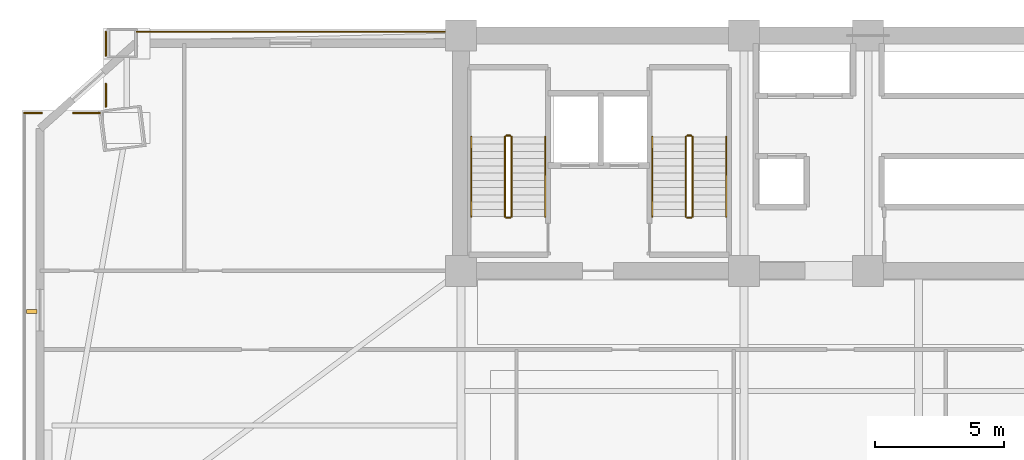
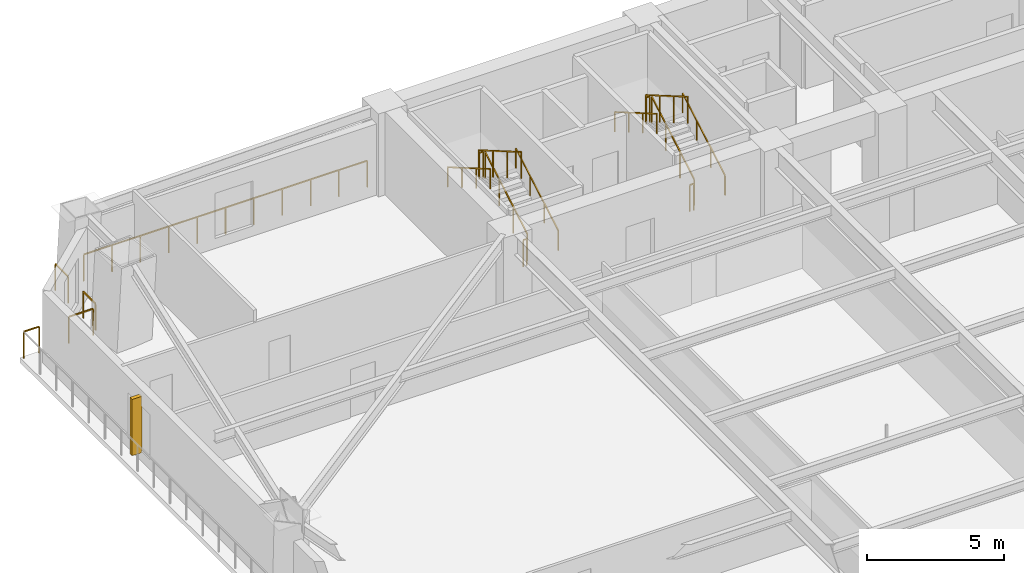
# One storey, part 15 of 17: 17 railings, 1 shading device.
"""IFC4 building model written with IfcOpenShell, lengths in metres."""

from ifc_helpers import new_model, si_unit, direction, frame, origin, origin_2d, place, context, subcontext, project, spatial, rectangle, extrude, source, transform, mapped, material, type_object, element, save


model = new_model("IFC4")

# Units and contexts
model_context = context("Model", 3, precision=1e-05, world=origin(), true_north=direction((0.0, 1.0)))
body_context = subcontext(model_context, "Body", "Model", "MODEL_VIEW")
ifc_project = project(units=[si_unit("LENGTHUNIT", "METRE"), si_unit("AREAUNIT", "SQUARE_METRE"), si_unit("VOLUMEUNIT", "CUBIC_METRE"), si_unit("PLANEANGLEUNIT", "RADIAN"), si_unit("MASSUNIT", "GRAM", prefix="KILO")], contexts=[model_context])

# Site, building, storey
site_placement = place(None, origin())
site = spatial("IfcSite", under=ifc_project, at=site_placement, CompositionType="ELEMENT")
building_placement = place(site_placement, origin())
building = spatial("IfcBuilding", under=site, at=building_placement, Name="Giltprow Tower", CompositionType="ELEMENT")
storey_placement = place(building_placement, frame((0.0, 0.0, 57.199951171875)))
storey = spatial("IfcBuildingStorey", under=building, at=storey_placement, Name="L14", CompositionType="ELEMENT", Elevation=57.199951171875)

# Railings
ifc_material = material(Name="Anodized bronze", Category="metal")
railing_type_1 = type_object("IfcRailingType", Name="RAIL-BALC-GUARD-1200", PredefinedType="BALUSTRADE", material=ifc_material)
railing_1_placement = place(storey_placement, frame((2.969970703125, 43.552001953125, 0.0)))
element("IfcRailing", 1, at=railing_1_placement, inside=storey, type_object=railing_type_1, Name="L14 Corner Apron Edge Balustrade 6", PredefinedType="BALUSTRADE", context=body_context, shape_type="SweptSolid", body=[
    extrude(rectangle(XDim=0.048095703125, YDim=0.048095703125, at=origin_2d()), frame((0.0, 0.0, 1.17578125), z_axis=(1.0, 0.0, 0.0), x_axis=(0.0, 1.0, 0.0)), (0.0, 0.0, 1.0), 0.656982421875),
    extrude(rectangle(XDim=0.0419921875, YDim=0.0419921875, at=origin_2d()), origin(), (0.0, 0.0, 1.0), 1.15185546875),
    extrude(rectangle(XDim=0.0419921875, YDim=0.0419921875, at=origin_2d()), frame((0.656982421875, 0.0, 0.0)), (0.0, 0.0, 1.0), 1.15185546875),
])
railing_2_placement = place(storey_placement, frame((4.85888671875, 43.552001953125, 0.0)))
element("IfcRailing", 2, at=railing_2_placement, inside=storey, type_object=railing_type_1, Name="L14 Corner Apron Edge Balustrade 7", PredefinedType="BALUSTRADE", context=body_context, shape_type="SweptSolid", body=[
    extrude(rectangle(XDim=0.048095703125, YDim=0.048095703125, at=origin_2d()), frame((0.0, 0.0, 1.17578125), z_axis=(1.0, 0.0, 0.0), x_axis=(0.0, 1.0, 0.0)), (0.0, 0.0, 1.0), 1.024169921875),
    extrude(rectangle(XDim=0.0419921875, YDim=0.0419921875, at=origin_2d()), origin(), (0.0, 0.0, 1.0), 1.15185546875),
    extrude(rectangle(XDim=0.0419921875, YDim=0.0419921875, at=origin_2d()), frame((1.024169921875, 0.0, 0.0)), (0.0, 0.0, 1.0), 1.15185546875),
])
railing_3_placement = place(storey_placement, frame((6.117919921875, 43.787109375, 0.0)))
element("IfcRailing", 3, at=railing_3_placement, inside=storey, type_object=railing_type_1, Name="L14 Corner Apron Edge Balustrade 8", PredefinedType="BALUSTRADE", context=body_context, shape_type="SweptSolid", body=[
    extrude(rectangle(XDim=0.048095703125, YDim=0.048095703125, at=origin_2d()), frame((0.0, 0.0, 1.17578125), z_axis=(0.0, 1.0, 0.0), x_axis=(-1.0, 0.0, 0.0)), (0.0, 0.0, 1.0), 0.887939453125),
    extrude(rectangle(XDim=0.0419921875, YDim=0.0419921875, at=origin_2d()), origin(), (0.0, 0.0, 1.0), 1.15185546875),
    extrude(rectangle(XDim=0.0419921875, YDim=0.0419921875, at=origin_2d()), frame((0.0, 0.887939453125, 0.0)), (0.0, 0.0, 1.0), 1.15185546875),
])
railing_4_placement = place(storey_placement, frame((6.117919921875, 45.77392578125, 0.0)))
element("IfcRailing", 4, at=railing_4_placement, inside=storey, type_object=railing_type_1, Name="L14 Corner Apron Edge Balustrade 9", PredefinedType="BALUSTRADE", context=body_context, shape_type="SweptSolid", body=[
    extrude(rectangle(XDim=0.048095703125, YDim=0.048095703125, at=origin_2d()), frame((0.0, 0.0, 1.17578125), z_axis=(0.0, 1.0, 0.0), x_axis=(-1.0, 0.0, 0.0)), (0.0, 0.0, 1.0), 0.926025390625),
    extrude(rectangle(XDim=0.0419921875, YDim=0.0419921875, at=origin_2d()), origin(), (0.0, 0.0, 1.0), 1.15185546875),
    extrude(rectangle(XDim=0.0419921875, YDim=0.0419921875, at=origin_2d()), frame((0.0, 0.926025390625, 0.0)), (0.0, 0.0, 1.0), 1.15185546875),
])
railing_5_placement = place(storey_placement, frame((7.302978515625, 46.699951171875, 0.0)))
element("IfcRailing", 5, at=railing_5_placement, inside=storey, type_object=railing_type_1, Name="L14 Corner Apron Edge Balustrade 10", PredefinedType="BALUSTRADE", context=body_context, shape_type="SweptSolid", body=[
    extrude(rectangle(XDim=0.048095703125, YDim=0.048095703125, at=origin_2d()), frame((0.0, 0.0, 1.17578125), z_axis=(1.0, 0.0, 0.0), x_axis=(0.0, 1.0, 0.0)), (0.0, 0.0, 1.0), 11.912109375),
    extrude(rectangle(XDim=0.0419921875, YDim=0.0419921875, at=origin_2d()), origin(), (0.0, 0.0, 1.0), 1.15185546875),
    extrude(rectangle(XDim=0.0419921875, YDim=0.0419921875, at=origin_2d()), frame((1.191162109375, 0.0, 0.0)), (0.0, 0.0, 1.0), 1.15185546875),
    extrude(rectangle(XDim=0.0419921875, YDim=0.0419921875, at=origin_2d()), frame((2.38232421875, 0.0, 0.0)), (0.0, 0.0, 1.0), 1.15185546875),
    extrude(rectangle(XDim=0.0419921875, YDim=0.0419921875, at=origin_2d()), frame((3.57373046875, 0.0, 0.0)), (0.0, 0.0, 1.0), 1.15185546875),
    extrude(rectangle(XDim=0.0419921875, YDim=0.0419921875, at=origin_2d()), frame((4.764892578125, 0.0, 0.0)), (0.0, 0.0, 1.0), 1.15185546875),
    extrude(rectangle(XDim=0.0419921875, YDim=0.0419921875, at=origin_2d()), frame((5.9560546875, 0.0, 0.0)), (0.0, 0.0, 1.0), 1.15185546875),
    extrude(rectangle(XDim=0.0419921875, YDim=0.0419921875, at=origin_2d()), frame((7.147216796875, 0.0, 0.0)), (0.0, 0.0, 1.0), 1.15185546875),
    extrude(rectangle(XDim=0.0419921875, YDim=0.0419921875, at=origin_2d()), frame((8.33837890625, 0.0, 0.0)), (0.0, 0.0, 1.0), 1.15185546875),
    extrude(rectangle(XDim=0.0419921875, YDim=0.0419921875, at=origin_2d()), frame((9.52978515625, 0.0, 0.0)), (0.0, 0.0, 1.0), 1.15185546875),
    extrude(rectangle(XDim=0.0419921875, YDim=0.0419921875, at=origin_2d()), frame((10.720947265625, 0.0, 0.0)), (0.0, 0.0, 1.0), 1.15185546875),
    extrude(rectangle(XDim=0.0419921875, YDim=0.0419921875, at=origin_2d()), frame((11.912109375, 0.0, 0.0)), (0.0, 0.0, 1.0), 1.15185546875),
])
railing_type_2 = type_object("IfcRailingType", Name="RAIL-STAIR-GUARD-1200", PredefinedType="GUARDRAIL", material=ifc_material)
railing_6_placement = place(storey_placement, frame((21.81005859375, 39.550048828125, 0.16259765625)))
element("IfcRailing", 6, at=railing_6_placement, inside=storey, type_object=railing_type_2, Name="L14 ST-1 stair guard 1", PredefinedType="GUARDRAIL", context=body_context, shape_type="SweptSolid", body=[
    extrude(rectangle(XDim=0.048095703125, YDim=0.048095703125, at=origin_2d()), frame((0.0, 0.0, 1.17578125), z_axis=(0.0, 0.864903211148, 0.501938676878), x_axis=(-1.0, 0.0, 0.0)), (0.0, 0.0, 1.0), 3.560791015625),
    extrude(rectangle(XDim=0.0419921875, YDim=0.0419921875, at=origin_2d()), origin(), (0.0, 0.0, 1.0), 1.15185546875),
    extrude(rectangle(XDim=0.0419921875, YDim=0.0419921875, at=origin_2d()), frame((0.0, 1.026611328125, 0.595703125)), (0.0, 0.0, 1.0), 1.15185546875),
    extrude(rectangle(XDim=0.0419921875, YDim=0.0419921875, at=origin_2d()), frame((0.0, 2.05322265625, 1.191650390625)), (0.0, 0.0, 1.0), 1.15185546875),
    extrude(rectangle(XDim=0.0419921875, YDim=0.0419921875, at=origin_2d()), frame((0.0, 3.079833984375, 1.787353515625)), (0.0, 0.0, 1.0), 1.15185546875),
])
railing_7_placement = place(storey_placement, frame((21.760009765625, 42.679931640625, 1.949951171875)))
element("IfcRailing", 7, at=railing_7_placement, inside=storey, type_object=railing_type_2, Name="L14 ST-1 stair guard 2", PredefinedType="GUARDRAIL", context=body_context, shape_type="SweptSolid", body=[
    extrude(rectangle(XDim=0.048095703125, YDim=0.048095703125, at=origin_2d()), frame((0.0, 0.0, 1.17578125), z_axis=(-1.0, 0.0, 0.0), x_axis=(0.0, -1.0, 0.0)), (0.0, 0.0, 1.0), 0.159912109375),
    extrude(rectangle(XDim=0.0419921875, YDim=0.0419921875, at=origin_2d()), origin(), (0.0, 0.0, 1.0), 1.15185546875),
    extrude(rectangle(XDim=0.0419921875, YDim=0.0419921875, at=origin_2d()), frame((-0.159912109375, 0.0, 0.0)), (0.0, 0.0, 1.0), 1.15185546875),
])
railing_8_placement = place(storey_placement, frame((21.550048828125, 42.6298828125, 2.112548828125)))
element("IfcRailing", 8, at=railing_8_placement, inside=storey, type_object=railing_type_2, Name="L14 ST-1 stair guard 3", PredefinedType="GUARDRAIL", context=body_context, shape_type="SweptSolid", body=[
    extrude(rectangle(XDim=0.048095703125, YDim=0.048095703125, at=origin_2d()), frame((0.0, 0.0, 1.17578125), z_axis=(0.0, -0.864873446163, 0.501989962173), x_axis=(1.0, 0.0, 0.0)), (0.0, 0.0, 1.0), 3.56103515625),
    extrude(rectangle(XDim=0.0419921875, YDim=0.0419921875, at=origin_2d()), origin(), (0.0, 0.0, 1.0), 1.15185546875),
    extrude(rectangle(XDim=0.0419921875, YDim=0.0419921875, at=origin_2d()), frame((0.0, -1.026611328125, 0.595947265625)), (0.0, 0.0, 1.0), 1.15185546875),
    extrude(rectangle(XDim=0.0419921875, YDim=0.0419921875, at=origin_2d()), frame((0.0, -2.05322265625, 1.191650390625)), (0.0, 0.0, 1.0), 1.15185546875),
    extrude(rectangle(XDim=0.0419921875, YDim=0.0419921875, at=origin_2d()), frame((0.0, -3.079833984375, 1.78759765625)), (0.0, 0.0, 1.0), 1.15185546875),
])
railing_9_placement = place(storey_placement, frame((21.760009765625, 39.5, 0.0)))
element("IfcRailing", 9, at=railing_9_placement, inside=storey, type_object=railing_type_2, Name="L14 ST-1 stair guard 4", PredefinedType="GUARDRAIL", context=body_context, shape_type="SweptSolid", body=[
    extrude(rectangle(XDim=0.048095703125, YDim=0.048095703125, at=origin_2d()), frame((0.0, 0.0, 1.17578125), z_axis=(-1.0, 0.0, 0.0), x_axis=(0.0, -1.0, 0.0)), (0.0, 0.0, 1.0), 0.159912109375),
    extrude(rectangle(XDim=0.0419921875, YDim=0.0419921875, at=origin_2d()), origin(), (0.0, 0.0, 1.0), 1.15185546875),
    extrude(rectangle(XDim=0.0419921875, YDim=0.0419921875, at=origin_2d()), frame((-0.159912109375, 0.0, 0.0)), (0.0, 0.0, 1.0), 1.15185546875),
])
railing_10_placement = place(storey_placement, frame((28.81005859375, 39.550048828125, 0.16259765625)))
element("IfcRailing", 10, at=railing_10_placement, inside=storey, type_object=railing_type_2, Name="L14 ST-2 stair guard 1", PredefinedType="GUARDRAIL", context=body_context, shape_type="SweptSolid", body=[
    extrude(rectangle(XDim=0.048095703125, YDim=0.048095703125, at=origin_2d()), frame((0.0, 0.0, 1.17578125), z_axis=(0.0, 0.864903211148, 0.501938676878), x_axis=(-1.0, 0.0, 0.0)), (0.0, 0.0, 1.0), 3.560791015625),
    extrude(rectangle(XDim=0.0419921875, YDim=0.0419921875, at=origin_2d()), origin(), (0.0, 0.0, 1.0), 1.15185546875),
    extrude(rectangle(XDim=0.0419921875, YDim=0.0419921875, at=origin_2d()), frame((0.0, 1.026611328125, 0.595703125)), (0.0, 0.0, 1.0), 1.15185546875),
    extrude(rectangle(XDim=0.0419921875, YDim=0.0419921875, at=origin_2d()), frame((0.0, 2.05322265625, 1.191650390625)), (0.0, 0.0, 1.0), 1.15185546875),
    extrude(rectangle(XDim=0.0419921875, YDim=0.0419921875, at=origin_2d()), frame((0.0, 3.079833984375, 1.787353515625)), (0.0, 0.0, 1.0), 1.15185546875),
])
railing_11_placement = place(storey_placement, frame((28.760009765625, 42.679931640625, 1.949951171875)))
element("IfcRailing", 11, at=railing_11_placement, inside=storey, type_object=railing_type_2, Name="L14 ST-2 stair guard 2", PredefinedType="GUARDRAIL", context=body_context, shape_type="SweptSolid", body=[
    extrude(rectangle(XDim=0.048095703125, YDim=0.048095703125, at=origin_2d()), frame((0.0, 0.0, 1.17578125), z_axis=(-1.0, 0.0, 0.0), x_axis=(0.0, -1.0, 0.0)), (0.0, 0.0, 1.0), 0.159912109375),
    extrude(rectangle(XDim=0.0419921875, YDim=0.0419921875, at=origin_2d()), origin(), (0.0, 0.0, 1.0), 1.15185546875),
    extrude(rectangle(XDim=0.0419921875, YDim=0.0419921875, at=origin_2d()), frame((-0.159912109375, 0.0, 0.0)), (0.0, 0.0, 1.0), 1.15185546875),
])
railing_12_placement = place(storey_placement, frame((28.550048828125, 42.6298828125, 2.112548828125)))
element("IfcRailing", 12, at=railing_12_placement, inside=storey, type_object=railing_type_2, Name="L14 ST-2 stair guard 3", PredefinedType="GUARDRAIL", context=body_context, shape_type="SweptSolid", body=[
    extrude(rectangle(XDim=0.048095703125, YDim=0.048095703125, at=origin_2d()), frame((0.0, 0.0, 1.17578125), z_axis=(0.0, -0.864873446163, 0.501989962173), x_axis=(1.0, 0.0, 0.0)), (0.0, 0.0, 1.0), 3.56103515625),
    extrude(rectangle(XDim=0.0419921875, YDim=0.0419921875, at=origin_2d()), origin(), (0.0, 0.0, 1.0), 1.15185546875),
    extrude(rectangle(XDim=0.0419921875, YDim=0.0419921875, at=origin_2d()), frame((0.0, -1.026611328125, 0.595947265625)), (0.0, 0.0, 1.0), 1.15185546875),
    extrude(rectangle(XDim=0.0419921875, YDim=0.0419921875, at=origin_2d()), frame((0.0, -2.05322265625, 1.191650390625)), (0.0, 0.0, 1.0), 1.15185546875),
    extrude(rectangle(XDim=0.0419921875, YDim=0.0419921875, at=origin_2d()), frame((0.0, -3.079833984375, 1.78759765625)), (0.0, 0.0, 1.0), 1.15185546875),
])
railing_13_placement = place(storey_placement, frame((28.760009765625, 39.5, 0.0)))
element("IfcRailing", 13, at=railing_13_placement, inside=storey, type_object=railing_type_2, Name="L14 ST-2 stair guard 4", PredefinedType="GUARDRAIL", context=body_context, shape_type="SweptSolid", body=[
    extrude(rectangle(XDim=0.048095703125, YDim=0.048095703125, at=origin_2d()), frame((0.0, 0.0, 1.17578125), z_axis=(-1.0, 0.0, 0.0), x_axis=(0.0, -1.0, 0.0)), (0.0, 0.0, 1.0), 0.159912109375),
    extrude(rectangle(XDim=0.0419921875, YDim=0.0419921875, at=origin_2d()), origin(), (0.0, 0.0, 1.0), 1.15185546875),
    extrude(rectangle(XDim=0.0419921875, YDim=0.0419921875, at=origin_2d()), frame((-0.159912109375, 0.0, 0.0)), (0.0, 0.0, 1.0), 1.15185546875),
])
railing_type_3 = type_object("IfcRailingType", Name="RAIL-STAIR-HAND-900", PredefinedType="HANDRAIL", material=ifc_material)
railing_14_placement = place(storey_placement, frame((23.110107421875, 39.550048828125, 0.16259765625)))
element("IfcRailing", 14, at=railing_14_placement, inside=storey, type_object=railing_type_3, Name="L14 ST-1 stair handrail 1", PredefinedType="HANDRAIL", context=body_context, shape_type="SweptSolid", body=[
    extrude(rectangle(XDim=0.048095703125, YDim=0.048095703125, at=origin_2d()), frame((0.0, 0.0, 0.8759765625), z_axis=(0.0, 0.864903211148, 0.501938676878), x_axis=(-1.0, 0.0, 0.0)), (0.0, 0.0, 1.0), 3.560791015625),
    extrude(rectangle(XDim=0.0419921875, YDim=0.0419921875, at=origin_2d()), origin(), (0.0, 0.0, 1.0), 0.851806640625),
    extrude(rectangle(XDim=0.0419921875, YDim=0.0419921875, at=origin_2d()), frame((0.0, 1.026611328125, 0.595703125)), (0.0, 0.0, 1.0), 0.851806640625),
    extrude(rectangle(XDim=0.0419921875, YDim=0.0419921875, at=origin_2d()), frame((0.0, 2.05322265625, 1.191650390625)), (0.0, 0.0, 1.0), 0.851806640625),
    extrude(rectangle(XDim=0.0419921875, YDim=0.0419921875, at=origin_2d()), frame((0.0, 3.079833984375, 1.787353515625)), (0.0, 0.0, 1.0), 0.851806640625),
])
railing_15_placement = place(storey_placement, frame((20.25, 42.6298828125, 2.112548828125)))
element("IfcRailing", 15, at=railing_15_placement, inside=storey, type_object=railing_type_3, Name="L14 ST-1 stair handrail 2", PredefinedType="HANDRAIL", context=body_context, shape_type="SweptSolid", body=[
    extrude(rectangle(XDim=0.048095703125, YDim=0.048095703125, at=origin_2d()), frame((0.0, 0.0, 0.8759765625), z_axis=(0.0, -0.864873446163, 0.501989962173), x_axis=(1.0, 0.0, 0.0)), (0.0, 0.0, 1.0), 3.56103515625),
    extrude(rectangle(XDim=0.0419921875, YDim=0.0419921875, at=origin_2d()), origin(), (0.0, 0.0, 1.0), 0.851806640625),
    extrude(rectangle(XDim=0.0419921875, YDim=0.0419921875, at=origin_2d()), frame((0.0, -1.026611328125, 0.595947265625)), (0.0, 0.0, 1.0), 0.851806640625),
    extrude(rectangle(XDim=0.0419921875, YDim=0.0419921875, at=origin_2d()), frame((0.0, -2.05322265625, 1.191650390625)), (0.0, 0.0, 1.0), 0.851806640625),
    extrude(rectangle(XDim=0.0419921875, YDim=0.0419921875, at=origin_2d()), frame((0.0, -3.079833984375, 1.78759765625)), (0.0, 0.0, 1.0), 0.851806640625),
])
railing_16_placement = place(storey_placement, frame((30.110107421875, 39.550048828125, 0.16259765625)))
element("IfcRailing", 16, at=railing_16_placement, inside=storey, type_object=railing_type_3, Name="L14 ST-2 stair handrail 1", PredefinedType="HANDRAIL", context=body_context, shape_type="SweptSolid", body=[
    extrude(rectangle(XDim=0.048095703125, YDim=0.048095703125, at=origin_2d()), frame((0.0, 0.0, 0.8759765625), z_axis=(0.0, 0.864903211148, 0.501938676878), x_axis=(-1.0, 0.0, 0.0)), (0.0, 0.0, 1.0), 3.560791015625),
    extrude(rectangle(XDim=0.0419921875, YDim=0.0419921875, at=origin_2d()), origin(), (0.0, 0.0, 1.0), 0.851806640625),
    extrude(rectangle(XDim=0.0419921875, YDim=0.0419921875, at=origin_2d()), frame((0.0, 1.026611328125, 0.595703125)), (0.0, 0.0, 1.0), 0.851806640625),
    extrude(rectangle(XDim=0.0419921875, YDim=0.0419921875, at=origin_2d()), frame((0.0, 2.05322265625, 1.191650390625)), (0.0, 0.0, 1.0), 0.851806640625),
    extrude(rectangle(XDim=0.0419921875, YDim=0.0419921875, at=origin_2d()), frame((0.0, 3.079833984375, 1.787353515625)), (0.0, 0.0, 1.0), 0.851806640625),
])
railing_17_placement = place(storey_placement, frame((27.25, 42.6298828125, 2.112548828125)))
element("IfcRailing", 17, at=railing_17_placement, inside=storey, type_object=railing_type_3, Name="L14 ST-2 stair handrail 2", PredefinedType="HANDRAIL", context=body_context, shape_type="SweptSolid", body=[
    extrude(rectangle(XDim=0.048095703125, YDim=0.048095703125, at=origin_2d()), frame((0.0, 0.0, 0.8759765625), z_axis=(0.0, -0.864873446163, 0.501989962173), x_axis=(1.0, 0.0, 0.0)), (0.0, 0.0, 1.0), 3.56103515625),
    extrude(rectangle(XDim=0.0419921875, YDim=0.0419921875, at=origin_2d()), origin(), (0.0, 0.0, 1.0), 0.851806640625),
    extrude(rectangle(XDim=0.0419921875, YDim=0.0419921875, at=origin_2d()), frame((0.0, -1.026611328125, 0.595947265625)), (0.0, 0.0, 1.0), 0.851806640625),
    extrude(rectangle(XDim=0.0419921875, YDim=0.0419921875, at=origin_2d()), frame((0.0, -2.05322265625, 1.191650390625)), (0.0, 0.0, 1.0), 0.851806640625),
    extrude(rectangle(XDim=0.0419921875, YDim=0.0419921875, at=origin_2d()), frame((0.0, -3.079833984375, 1.78759765625)), (0.0, 0.0, 1.0), 0.851806640625),
])

# Shading device
shading_device_type = type_object("IfcShadingDeviceType", Name="SHD-FIN-420", PredefinedType="USERDEFINED", material=ifc_material)
shared_shape = source(origin(), body_context, "Body", "SweptSolid", [
    extrude(rectangle(XDim=0.419921875, YDim=0.159912109375, at=origin_2d()), origin(), (0.0, 0.0, 1.0), 2.5),
])
shading_device_placement = place(storey_placement, frame((3.25, 35.868896484375, 0.35009765625), z_axis=(0.0, 0.0, 1.0), x_axis=(1.0, 0.0, 0.0)))
element("IfcShadingDevice", 18, at=shading_device_placement, inside=storey, type_object=shading_device_type, Name="L14 W Bronze Vertical Fin 2-1", ObjectType="FIN", PredefinedType="USERDEFINED", context=body_context, shape_type="MappedRepresentation", body=[
    mapped(shared_shape, transform((0.0, 0.0, 0.0), x_axis=(1.0, 0.0, 0.0), y_axis=(0.0, 1.0, 0.0), z_axis=(0.0, 0.0, 1.0), scale=1.0)),
])

save(model, "model.ifc")
